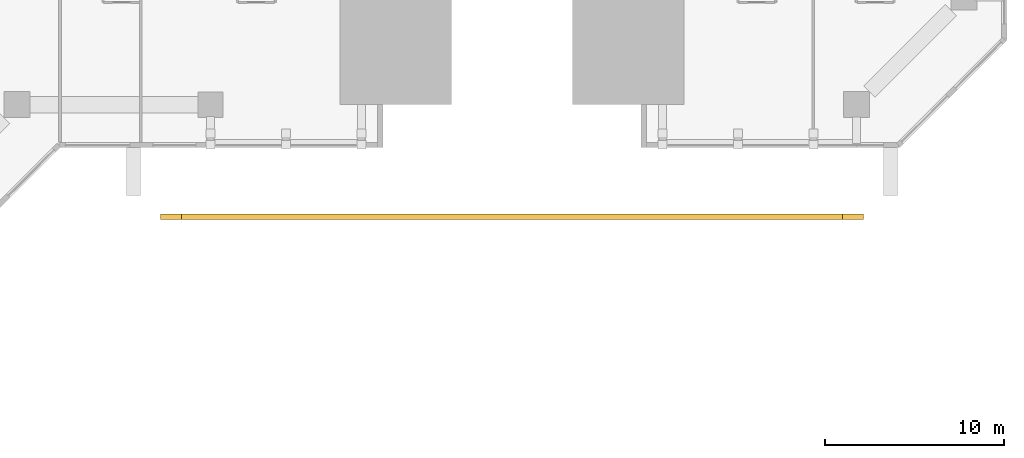
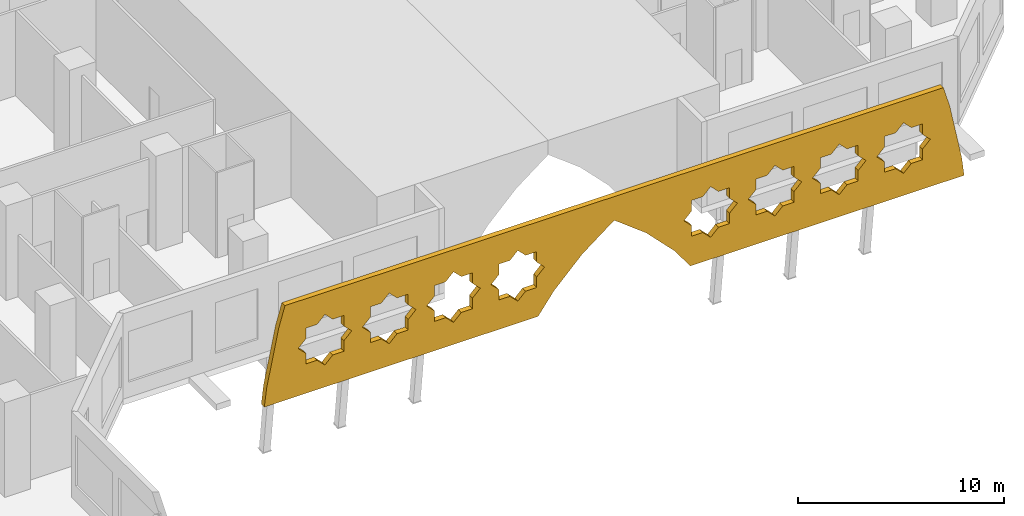
# One storey, part 20 of 24: 1 covering.
"""IFC4 building model written with IfcOpenShell, lengths in metres."""

from ifc_helpers import new_model, si_unit, direction, frame, origin, place, context, subcontext, project, spatial, polyline, outline, extrude, material, layer, layer_set, type_object, element, save


model = new_model("IFC4")

# Units and contexts
model_context = context("Model", 3, precision=1e-05, world=origin(), true_north=direction((0.0, 1.0)))
body_context = subcontext(model_context, "Body", "Model", "MODEL_VIEW")
ifc_project = project(units=[si_unit("LENGTHUNIT", "METRE"), si_unit("AREAUNIT", "SQUARE_METRE"), si_unit("VOLUMEUNIT", "CUBIC_METRE"), si_unit("PLANEANGLEUNIT", "RADIAN"), si_unit("MASSUNIT", "GRAM", prefix="KILO")], contexts=[model_context])

# Site, building, storey
site_placement = place(None, origin())
site = spatial("IfcSite", under=ifc_project, at=site_placement, CompositionType="ELEMENT")
building_placement = place(site_placement, origin())
building = spatial("IfcBuilding", under=site, at=building_placement, Name="Kawkab Arch Medical Tower", CompositionType="ELEMENT")
storey_placement = place(building_placement, frame((0.0, 0.0, 18.199951171875)))
storey = spatial("IfcBuildingStorey", under=building, at=storey_placement, Name="L04", CompositionType="ELEMENT", Elevation=18.199951171875)

# Covering
ifc_material = material(Name="Perforated bronze anodised aluminium, eight-point star pattern", Category="aluminium")
ifc_layer = layer(ifc_material, 0.300048828125)
ifc_layer_set = layer_set([ifc_layer], Name="Perforated bronze anodised aluminium, eight-point star pattern")
covering_type = type_object("IfcCoveringType", Name="Spandrel star screen 300", PredefinedType="USERDEFINED", material=ifc_layer_set)
covering_placement = place(storey_placement, frame((0.0, -39.699951171875, -18.199951171875), z_axis=(0.0, -1.0, 0.0), x_axis=(1.0, 0.0, 0.0)))
element("IfcCovering", 1, at=covering_placement, inside=storey, type_object=covering_type, Name="Spandrel screen S 3.1", ObjectType="SCREEN", PredefinedType="USERDEFINED", context=body_context, shape_type="SweptSolid", body=[
    extrude(outline(polyline([(47.607421875, 18.199951171875), (62.9375, 18.199951171875), (63.823974609375, 19.406005859375), (65.406005859375, 21.02197265625), (67.199951171875, 22.39990234375), (68.993896484375, 21.02197265625), (70.575927734375, 19.406005859375), (71.46240234375, 18.199951171875), (86.79248046875, 18.199951171875), (86.662109375, 19.27783203125), (85.9931640625, 22.562744140625), (85.635986328125, 23.800048828125), (48.763916015625, 23.800048828125), (48.40673828125, 22.562744140625), (47.73779296875, 19.27783203125), (47.607421875, 18.199951171875)]), holes=[polyline([(52.5, 21.0), (52.060791015625, 21.439208984375), (52.060791015625, 22.060791015625), (51.439208984375, 22.060791015625), (51.0, 22.5), (50.560791015625, 22.060791015625), (49.939208984375, 22.060791015625), (49.939208984375, 21.439208984375), (49.5, 21.0), (49.939208984375, 20.560791015625), (49.939208984375, 19.939208984375), (50.560791015625, 19.939208984375), (51.0, 19.5), (51.439208984375, 19.939208984375), (52.060791015625, 19.939208984375), (52.060791015625, 20.560791015625), (52.5, 21.0)]), polyline([(56.10009765625, 21.0), (55.66064453125, 21.439208984375), (55.66064453125, 22.060791015625), (55.039306640625, 22.060791015625), (54.60009765625, 22.5), (54.16064453125, 22.060791015625), (53.539306640625, 22.060791015625), (53.539306640625, 21.439208984375), (53.10009765625, 21.0), (53.539306640625, 20.560791015625), (53.539306640625, 19.939208984375), (54.16064453125, 19.939208984375), (54.60009765625, 19.5), (55.039306640625, 19.939208984375), (55.66064453125, 19.939208984375), (55.66064453125, 20.560791015625), (56.10009765625, 21.0)]), polyline([(59.699951171875, 21.0), (59.2607421875, 21.439208984375), (59.2607421875, 22.060791015625), (58.639404296875, 22.060791015625), (58.199951171875, 22.5), (57.7607421875, 22.060791015625), (57.139404296875, 22.060791015625), (57.139404296875, 21.439208984375), (56.699951171875, 21.0), (57.139404296875, 20.560791015625), (57.139404296875, 19.939208984375), (57.7607421875, 19.939208984375), (58.199951171875, 19.5), (58.639404296875, 19.939208984375), (59.2607421875, 19.939208984375), (59.2607421875, 20.560791015625), (59.699951171875, 21.0)]), polyline([(63.300048828125, 21.0), (62.860595703125, 21.439208984375), (62.860595703125, 22.060791015625), (62.2392578125, 22.060791015625), (61.800048828125, 22.5), (61.360595703125, 22.060791015625), (60.7392578125, 22.060791015625), (60.7392578125, 21.439208984375), (60.300048828125, 21.0), (60.7392578125, 20.560791015625), (60.7392578125, 19.939208984375), (61.360595703125, 19.939208984375), (61.800048828125, 19.5), (62.2392578125, 19.939208984375), (62.860595703125, 19.939208984375), (62.860595703125, 20.560791015625), (63.300048828125, 21.0)]), polyline([(74.10009765625, 21.0), (73.66064453125, 21.439208984375), (73.66064453125, 22.060791015625), (73.039306640625, 22.060791015625), (72.60009765625, 22.5), (72.16064453125, 22.060791015625), (71.539306640625, 22.060791015625), (71.539306640625, 21.439208984375), (71.10009765625, 21.0), (71.539306640625, 20.560791015625), (71.539306640625, 19.939208984375), (72.16064453125, 19.939208984375), (72.60009765625, 19.5), (73.039306640625, 19.939208984375), (73.66064453125, 19.939208984375), (73.66064453125, 20.560791015625), (74.10009765625, 21.0)]), polyline([(77.699951171875, 21.0), (77.2607421875, 21.439208984375), (77.2607421875, 22.060791015625), (76.639404296875, 22.060791015625), (76.199951171875, 22.5), (75.7607421875, 22.060791015625), (75.139404296875, 22.060791015625), (75.139404296875, 21.439208984375), (74.699951171875, 21.0), (75.139404296875, 20.560791015625), (75.139404296875, 19.939208984375), (75.7607421875, 19.939208984375), (76.199951171875, 19.5), (76.639404296875, 19.939208984375), (77.2607421875, 19.939208984375), (77.2607421875, 20.560791015625), (77.699951171875, 21.0)]), polyline([(81.300048828125, 21.0), (80.860595703125, 21.439208984375), (80.860595703125, 22.060791015625), (80.2392578125, 22.060791015625), (79.800048828125, 22.5), (79.360595703125, 22.060791015625), (78.7392578125, 22.060791015625), (78.7392578125, 21.439208984375), (78.300048828125, 21.0), (78.7392578125, 20.560791015625), (78.7392578125, 19.939208984375), (79.360595703125, 19.939208984375), (79.800048828125, 19.5), (80.2392578125, 19.939208984375), (80.860595703125, 19.939208984375), (80.860595703125, 20.560791015625), (81.300048828125, 21.0)]), polyline([(84.89990234375, 21.0), (84.460693359375, 21.439208984375), (84.460693359375, 22.060791015625), (83.83935546875, 22.060791015625), (83.39990234375, 22.5), (82.960693359375, 22.060791015625), (82.33935546875, 22.060791015625), (82.33935546875, 21.439208984375), (81.89990234375, 21.0), (82.33935546875, 20.560791015625), (82.33935546875, 19.939208984375), (82.960693359375, 19.939208984375), (83.39990234375, 19.5), (83.83935546875, 19.939208984375), (84.460693359375, 19.939208984375), (84.460693359375, 20.560791015625), (84.89990234375, 21.0)])]), origin(), (0.0, 0.0, 1.0), 0.300048828125),
])

save(model, "model.ifc")
